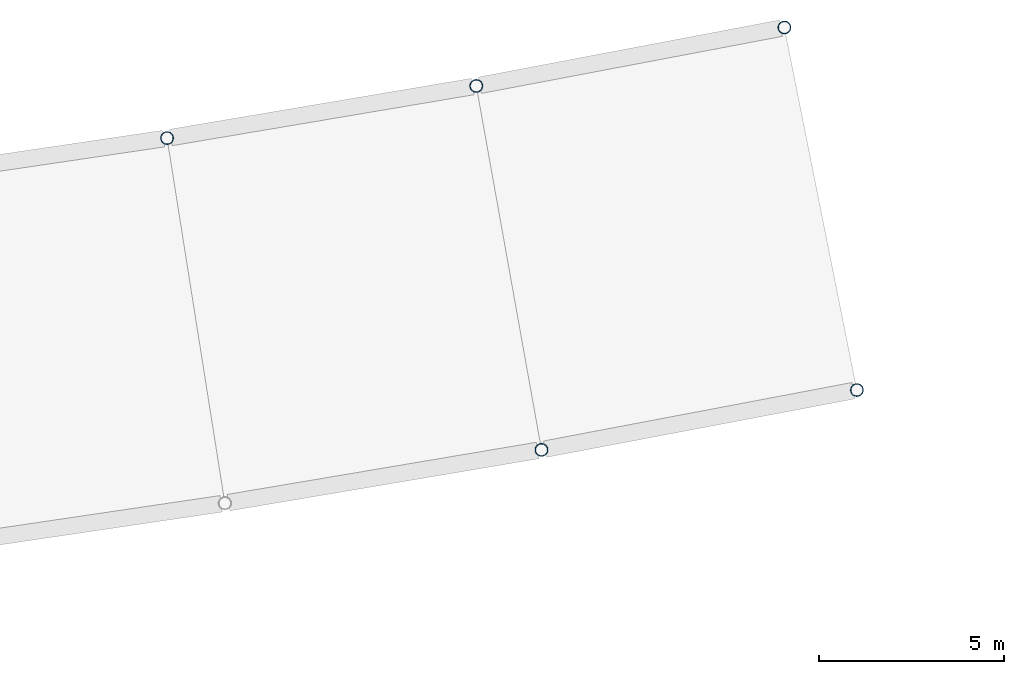
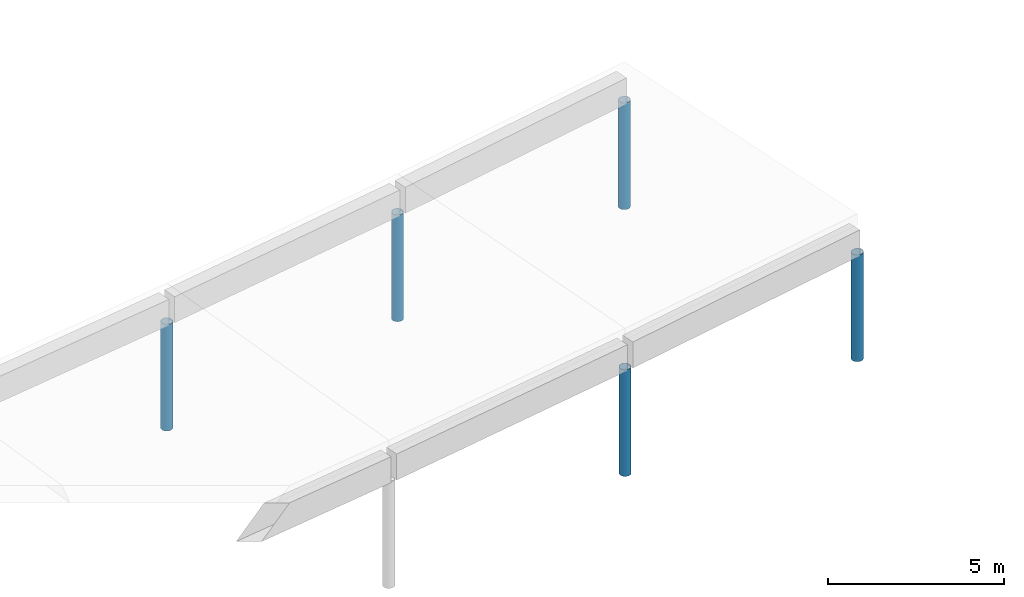
# One storey, part 14 of 185: 5 columns.
"""IFC4 building model written with IfcOpenShell, lengths in metres."""

from ifc_helpers import new_model, si_unit, direction, frame, origin, origin_2d, place, context, subcontext, project, spatial, hollow_circle, extrude, material, material_profile, profile_set, type_object, element, save


model = new_model("IFC4")

# Units and contexts
model_context = context("Model", 3, precision=1e-05, world=origin(), true_north=direction((0.0, 1.0)))
body_context = subcontext(model_context, "Body", "Model", "MODEL_VIEW")
ifc_project = project(units=[si_unit("LENGTHUNIT", "METRE"), si_unit("AREAUNIT", "SQUARE_METRE"), si_unit("VOLUMEUNIT", "CUBIC_METRE"), si_unit("PLANEANGLEUNIT", "RADIAN"), si_unit("MASSUNIT", "GRAM", prefix="KILO")], contexts=[model_context])

# Site, building, storey
site_placement = place(None, origin())
site = spatial("IfcSite", under=ifc_project, at=site_placement, CompositionType="ELEMENT")
building_placement = place(site_placement, origin())
building = spatial("IfcBuilding", under=site, at=building_placement, Name="Opaline Strait Convention Centre", CompositionType="ELEMENT")
storey_placement = place(building_placement, frame((0.0, 0.0, 6.0)))
storey = spatial("IfcBuildingStorey", under=building, at=storey_placement, Name="L01", CompositionType="ELEMENT", Elevation=6.0)

# Columns
ifc_material = material(Name="Steel Q355B", Category="steel")
ifc_material_profile = material_profile(ifc_material, hollow_circle(Radius=0.175537109375, WallThickness=0.01611328125, at=origin_2d()), Name="CHS 351x16")
ifc_profile_set = profile_set([ifc_material_profile], Name="Steel Q355B")
column_type = type_object("IfcColumnType", Name="Arcade column CHS 351x16", PredefinedType="COLUMN", material=ifc_profile_set)
for number, where, z_axis, x_axis, name in (
    (1, (253.449462890625, 176.07958984375, 0.0), (0.0, 0.0, 1.0), (1.0, 0.0, 0.0), "Arcade column SC-I19"),
    (2, (261.980712890625, 177.697021484375, 0.0), (0.0, 0.0, 1.0), (1.0, 0.0, 0.0), "Arcade column SC-I20"),
    (3, (243.32275390625, 184.51171875, 0.0), (0.0, 0.0, 1.0), (1.0, 0.0, 0.0), "Arcade column SC-O18"),
    (4, (251.685546875, 185.9228515625, 0.0), (0.0, 0.0, 1.0), (1.0, 0.0, 0.0), "Arcade column SC-O19"),
    (5, (260.019287109375, 187.5029296875, 0.0), (0.0, 0.0, 1.0), (1.0, 0.0, 0.0), "Arcade column SC-O20"),
):
    element("IfcColumn", number, at=place(storey_placement, frame(where, z_axis=z_axis, x_axis=x_axis)), inside=storey, type_object=column_type, Name=name, ObjectType="SCC1", PredefinedType="COLUMN", context=body_context, shape_type="SweptSolid", body=[
        extrude(hollow_circle(Radius=0.175537109375, WallThickness=0.01611328125, at=origin_2d()), origin(), (0.0, 0.0, 1.0), 3.68505859375),
    ])

save(model, "model.ifc")
